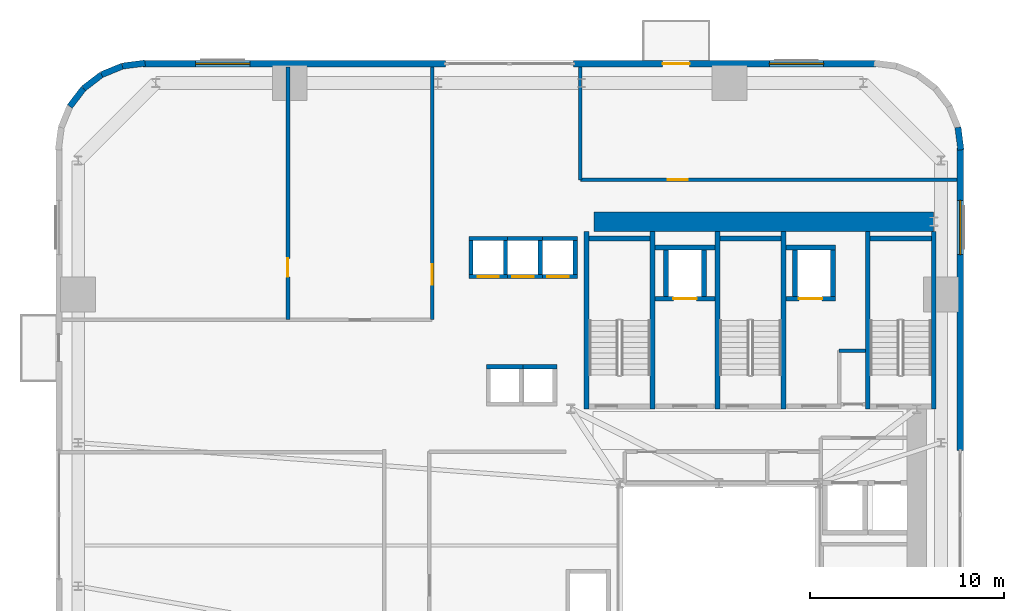
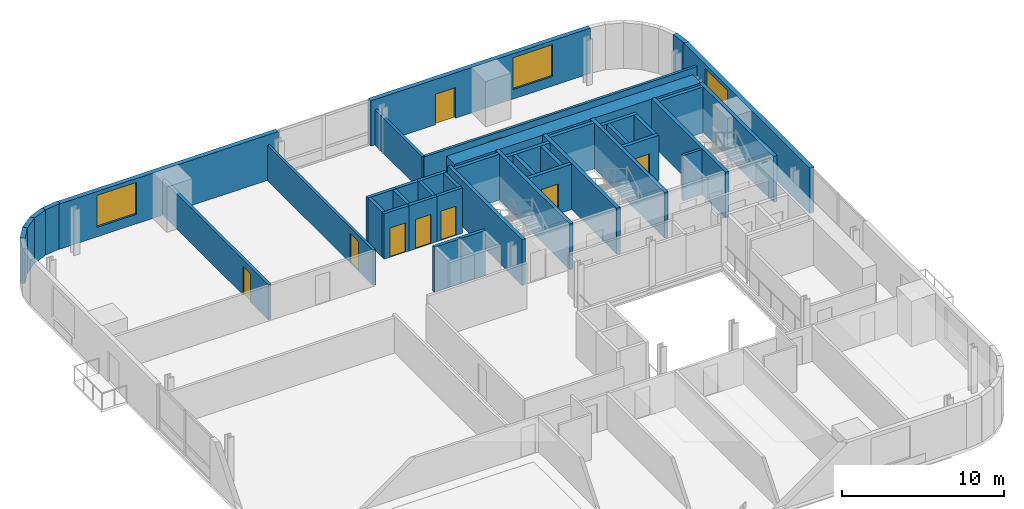
# One storey, part 8 of 13: 43 walls, 9 doors, 3 windows, 12 openings.
"""IFC4 building model written with IfcOpenShell, lengths in metres."""

import ifcopenshell
import ifcopenshell.guid

model = None  # the IFC model being written
_history = None  # IfcOwnerHistory: only IFC2X3 demands one
_inside = {}  # id of a spatial element -> (the spatial element, [elements in it])
_under = {}  # id of a project, library or spatial element -> (it, [spatial elements below it])
_declared = {}  # id of a project -> (the project, [libraries it declares])
_typed = {}  # id of a type object -> (the type object, [elements of that type])
_made_of = {}  # id of a material, layer set ... -> (it, [elements and type objects made of it])


def new_model(schema):
    """Start an empty IFC model of exactly this schema.

    Asked for "IFC4X3", IfcOpenShell would pick the latest addendum, in which some entities
    have other attributes; the version numbers below select the first issue.
    IFC2X3 requires an IfcOwnerHistory on every rooted entity: one is made here for all.
    """
    global model, _history
    if schema == "IFC4X3":
        model = ifcopenshell.file(schema_version=(4, 3, 0, 0))
    else:
        model = ifcopenshell.file(schema=schema)
    _inside.clear()
    _under.clear()
    _declared.clear()
    _typed.clear()
    _made_of.clear()
    _history = None
    if model.schema == "IFC2X3":
        org = make("IfcOrganization", Name="unknown")
        user = make(
            "IfcPersonAndOrganization",
            ThePerson=make("IfcPerson", FamilyName="unknown"),
            TheOrganization=org,
        )
        app = make(
            "IfcApplication",
            ApplicationDeveloper=org,
            Version="unknown",
            ApplicationFullName="unknown",
            ApplicationIdentifier="unknown",
        )
        _history = make(
            "IfcOwnerHistory",
            OwningUser=user,
            OwningApplication=app,
            ChangeAction="ADDED",
            CreationDate=0,
        )
    return model


def make(cls, **values):
    """One entity of the class cls with the attributes given. An attribute that is None is left unset."""
    return model.create_entity(
        cls, **{name: value for name, value in values.items() if value is not None}
    )


def rooted(cls, **values):
    """An entity with a GlobalId (a new one), such as an element, a storey or a relation."""
    return make(cls, GlobalId=ifcopenshell.guid.new(), OwnerHistory=_history, **values)


def si_unit(unit_type, name, prefix=None):
    """IfcSIUnit, for example si_unit("LENGTHUNIT", "METRE", prefix="MILLI")."""
    return make("IfcSIUnit", UnitType=unit_type, Prefix=prefix, Name=name)


def assignment(units):
    """IfcUnitAssignment: the units of a project."""
    return None if units is None else make("IfcUnitAssignment", Units=units)


def point(xyz):
    """IfcCartesianPoint."""
    return None if xyz is None else make("IfcCartesianPoint", Coordinates=xyz)


def direction(xyz):
    """IfcDirection."""
    return None if xyz is None else make("IfcDirection", DirectionRatios=xyz)


def frame(location, z_axis=None, x_axis=None):
    """IfcAxis2Placement3D, a coordinate frame: its origin and axes. An axis left out is left unset."""
    return make(
        "IfcAxis2Placement3D",
        Location=point(location),
        Axis=direction(z_axis),
        RefDirection=direction(x_axis),
    )


def frame_2d(location, x_axis=None):
    """IfcAxis2Placement2D, a coordinate frame in the plane: its origin and x axis."""
    return make(
        "IfcAxis2Placement2D", Location=point(location), RefDirection=direction(x_axis)
    )


def origin():
    """The frame at (0, 0, 0) with its axes left unset."""
    return frame((0.0, 0.0, 0.0))


def place(relative_to, where):
    """IfcLocalPlacement: puts the frame where relative to a parent placement (None: the world)."""
    return make(
        "IfcLocalPlacement", PlacementRelTo=relative_to, RelativePlacement=where
    )


def context(
    kind, dimensions, precision=None, world=None, true_north=None, identifier=None
):
    """IfcGeometricRepresentationContext, for example the 3D "Model" context."""
    return make(
        "IfcGeometricRepresentationContext",
        ContextIdentifier=identifier,
        ContextType=kind,
        CoordinateSpaceDimension=dimensions,
        Precision=precision,
        WorldCoordinateSystem=world,
        TrueNorth=true_north,
    )


def subcontext(parent, identifier, kind, view, scale=None):
    """IfcGeometricRepresentationSubContext, for example "Body" below "Model"."""
    return make(
        "IfcGeometricRepresentationSubContext",
        ContextIdentifier=identifier,
        ContextType=kind,
        ParentContext=parent,
        TargetScale=scale,
        TargetView=view,
    )


def project(units=None, contexts=None):
    """IfcProject with its units and contexts."""
    return rooted(
        "IfcProject",
        Name="project",
        RepresentationContexts=contexts,
        UnitsInContext=assignment(units),
    )


def spatial(cls, under=None, at=None, **own):
    """A site, building, storey or space (cls), placed at a placement, below another one or the project."""
    s = rooted(cls, ObjectPlacement=at, **own)
    if under is not None:
        _under.setdefault(under.id(), (under, []))[1].append(s)
    return s


def profile(cls, at=None, kind="AREA", **sizes):
    """A parametric profile (cls). Its sizes go by their IFC names, for example OverallWidth=200.0."""
    return make(cls, ProfileType=kind, Position=at, **sizes)


def rectangle(**sizes):
    """IfcRectangleProfileDef."""
    return profile("IfcRectangleProfileDef", **sizes)


def extrude(swept, where, along, depth):
    """IfcExtrudedAreaSolid: the profile swept, set in the frame where, extruded along a direction by depth."""
    return make(
        "IfcExtrudedAreaSolid",
        SweptArea=swept,
        Position=where,
        ExtrudedDirection=direction(along),
        Depth=depth,
    )


def shape(context_of_items, identifier, shape_type, items):
    """IfcShapeRepresentation: the items that make up one representation, for example the "Body"."""
    return make(
        "IfcShapeRepresentation",
        ContextOfItems=context_of_items,
        RepresentationIdentifier=identifier,
        RepresentationType=shape_type,
        Items=items,
    )


def source(mapping_origin, context_of_items, identifier, shape_type, items):
    """IfcRepresentationMap: a shape defined once, which mapped items show again and again."""
    return make(
        "IfcRepresentationMap",
        MappingOrigin=mapping_origin,
        MappedRepresentation=shape(context_of_items, identifier, shape_type, items),
    )


def transform(
    local_origin,
    x_axis=None,
    y_axis=None,
    z_axis=None,
    scale=None,
    scale2=None,
    scale3=None,
    uniform=True,
):
    """IfcCartesianTransformationOperator3D, or its non-uniform kind. x_axis, y_axis, z_axis: its Axis1, 2, 3."""
    if uniform:
        return make(
            "IfcCartesianTransformationOperator3D",
            Axis1=direction(x_axis),
            Axis2=direction(y_axis),
            LocalOrigin=point(local_origin),
            Scale=scale,
            Axis3=direction(z_axis),
        )
    return make(
        "IfcCartesianTransformationOperator3DnonUniform",
        Axis1=direction(x_axis),
        Axis2=direction(y_axis),
        LocalOrigin=point(local_origin),
        Scale=scale,
        Axis3=direction(z_axis),
        Scale2=scale2,
        Scale3=scale3,
    )


def mapped(mapping_source, mapping_target):
    """IfcMappedItem: shows the shape of a source again, moved by a transform."""
    return make(
        "IfcMappedItem", MappingSource=mapping_source, MappingTarget=mapping_target
    )


def material(Name=None, Category=None):
    """IfcMaterial."""
    return make("IfcMaterial", Name=Name, Category=Category)


def layer(
    of_material, thickness, ventilated=None, Name=None, Category=None, Priority=None
):
    """IfcMaterialLayer: one layer of a wall or slab, of a material (None: an air gap)."""
    return make(
        "IfcMaterialLayer",
        Material=of_material,
        LayerThickness=thickness,
        IsVentilated=ventilated,
        Name=Name,
        Category=Category,
        Priority=Priority,
    )


def layer_set(layers, Name=None):
    """IfcMaterialLayerSet."""
    return make("IfcMaterialLayerSet", MaterialLayers=layers, LayerSetName=Name)


def made_of(thing, what):
    """Note that an element or type object is made of a material, layer set ...; save() writes the relation."""
    if what is not None:
        _made_of.setdefault(what.id(), (what, []))[1].append(thing)
    return thing


def type_object(cls, material=None, **own):
    """A type object (cls), such as IfcWallType, which elements share."""
    return made_of(rooted(cls, **own), material)


def element(
    cls,
    number,
    at=None,
    inside=None,
    cuts=None,
    type_object=None,
    material=None,
    context=None,
    identifier="Body",
    shape_type=None,
    held_by="IfcProductDefinitionShape",
    body=None,
    shapes=None,
    **own,
):
    """One element of the class cls, such as IfcWall. Its Tag is "e" and its number.

    at: its placement. inside: the storey or other place that contains it. cuts: it is an
    opening in that element (IfcRelVoidsElement). A single representation is given by context,
    identifier, shape_type and body (its items); several are given by shapes. held_by: the class
    of the entity that holds the representations. save() writes the other relations.
    """
    e = rooted(cls, Tag="e%d" % number, ObjectPlacement=at, **own)
    if body is not None:
        shapes = [shape(context, identifier, shape_type, body)]
    if shapes is not None:
        e.Representation = make(held_by, Representations=shapes)
    if inside is not None:
        _inside.setdefault(inside.id(), (inside, []))[1].append(e)
    if cuts is not None:
        rooted(
            "IfcRelVoidsElement", RelatingBuildingElement=cuts, RelatedOpeningElement=e
        )
    if type_object is not None:
        _typed.setdefault(type_object.id(), (type_object, []))[1].append(e)
    return made_of(e, material)


def fill(opening, filler):
    """IfcRelFillsElement: the door or window that sits in an opening."""
    return rooted(
        "IfcRelFillsElement",
        RelatingOpeningElement=opening,
        RelatedBuildingElement=filler,
    )


def aggregate(whole, parts):
    """IfcRelAggregates: a whole, such as a stair, and the parts it consists of."""
    return rooted("IfcRelAggregates", RelatingObject=whole, RelatedObjects=parts)


def save(model, path):
    """Write the relations noted so far, then the file.

    IfcRelAggregates (storeys below a building ...), IfcRelContainedInSpatialStructure (elements
    in a storey), IfcRelDefinesByType, IfcRelAssociatesMaterial and IfcRelDeclares: one each for
    every whole, place, type object, material and project.
    """
    for whole, parts in _under.values():
        aggregate(whole, parts)
    for where, things in _inside.values():
        rooted(
            "IfcRelContainedInSpatialStructure",
            RelatedElements=things,
            RelatingStructure=where,
        )
    for kind, things in _typed.values():
        rooted("IfcRelDefinesByType", RelatedObjects=things, RelatingType=kind)
    for what, things in _made_of.values():
        rooted("IfcRelAssociatesMaterial", RelatedObjects=things, RelatingMaterial=what)
    for by, libraries in _declared.values():
        rooted("IfcRelDeclares", RelatingContext=by, RelatedDefinitions=libraries)
    model.write(path)


model = new_model("IFC4")

# Units and contexts
model_context = context("Model", 3, precision=1e-05, world=origin(), true_north=direction((0.0, 1.0)))
body_context = subcontext(model_context, "Body", "Model", "MODEL_VIEW")
ifc_project = project(units=[si_unit("LENGTHUNIT", "METRE"), si_unit("AREAUNIT", "SQUARE_METRE"), si_unit("VOLUMEUNIT", "CUBIC_METRE"), si_unit("PLANEANGLEUNIT", "RADIAN"), si_unit("MASSUNIT", "GRAM", prefix="KILO")], contexts=[model_context])

# Site, building, storey
site_placement = place(None, origin())
site = spatial("IfcSite", under=ifc_project, at=site_placement, CompositionType="ELEMENT")
building_placement = place(site_placement, origin())
building = spatial("IfcBuilding", under=site, at=building_placement, Name="Vardaveli Station Tower", CompositionType="ELEMENT")
storey_placement = place(building_placement, frame((0.0, 0.0, 49.5)))
storey = spatial("IfcBuildingStorey", under=building, at=storey_placement, Name="L12", CompositionType="ELEMENT", Elevation=49.5)

# Wall
ifc_material_1 = material(Name="Concrete C60/75", Category="concrete")
ifc_layer_1 = layer(ifc_material_1, 1.0, Name="Concrete C60/75")
ifc_layer_set_1 = layer_set([ifc_layer_1], Name="Concrete C60/75")
wall_type_1 = type_object("IfcWallType", Name="WAL-CORE-1000", PredefinedType="SHEAR", material=ifc_layer_set_1)
shared_shape_1 = source(origin(), body_context, "Body", "SweptSolid", [
    extrude(rectangle(XDim=17.52001953125, YDim=1.0, at=frame_2d((8.760009765625, 0.0))), origin(), (0.0, 0.0, 1.0), 3.409912109375),
])
wall_1_placement = place(storey_placement, frame((29.85009765625, 40.300048828125, 0.0), z_axis=(0.0, 0.0, 1.0), x_axis=(1.0, 0.0, 0.0)))
element("IfcWall", 1, at=wall_1_placement, inside=storey, type_object=wall_type_1, Name="SW-L12-NORTH", PredefinedType="SHEAR", context=body_context, shape_type="MappedRepresentation", body=[
    mapped(shared_shape_1, transform((0.0, 0.0, 0.0), scale=1.0)),
])

# Wall, openings, door, window
ifc_material_2 = material(Name="Precast concrete C45/55", Category="concrete")
ifc_layer_2 = layer(ifc_material_2, 0.320068359375, Name="Precast concrete C45/55")
ifc_layer_set_2 = layer_set([ifc_layer_2], Name="Precast concrete C45/55")
wall_type_2 = type_object("IfcWallType", Name="WAL-EXT-STONE-320", PredefinedType="SOLIDWALL", material=ifc_layer_set_2)
shared_shape_2 = source(origin(), body_context, "Body", "SweptSolid", [
    extrude(rectangle(XDim=15.599853515625, YDim=0.320068359375, at=frame_2d((7.7998046875, 0.0))), origin(), (0.0, 0.0, 1.0), 3.409912109375),
])
wall_2_placement = place(storey_placement, frame((44.39990234375, 48.43994140625, 0.0), z_axis=(0.0, 0.0, 1.0), x_axis=(-1.0, 0.0, 0.0)))
wall_2 = element("IfcWall", 2, at=wall_2_placement, inside=storey, type_object=wall_type_2, Name="EW-L12-N1", PredefinedType="SOLIDWALL", context=body_context, shape_type="MappedRepresentation", body=[
    mapped(shared_shape_2, transform((0.0, 0.0, 0.0), scale=1.0)),
])
shared_shape_3 = source(origin(), body_context, "Body", "SweptSolid", [
    extrude(rectangle(XDim=1.39990234375, YDim=2.300048828125, at=frame_2d((0.699951171875, 1.14990234375))), frame((0.0, 0.169921875, 0.0), z_axis=(0.0, -1.0, 0.0), x_axis=(1.0, 0.0, 0.0)), (0.0, 0.0, 1.0), 0.340087890625),
])
opening_1_placement = place(wall_2_placement, frame((9.6103515625, 0.0, 0.0)))
opening_1 = element("IfcOpeningElement", 3, at=opening_1_placement, cuts=wall_2, Name="Opening D-09", PredefinedType="OPENING", context=body_context, shape_type="MappedRepresentation", body=[
    mapped(shared_shape_3, transform((0.0, 0.0, 0.0), scale=1.0)),
])
shared_shape_4 = source(origin(), body_context, "Body", "SweptSolid", [
    extrude(rectangle(XDim=2.800048828125, YDim=2.39990234375, at=frame_2d((1.39990234375, 1.199951171875))), frame((0.0, 0.169921875, 0.0), z_axis=(0.0, -1.0, 0.0), x_axis=(1.0, 0.0, 0.0)), (0.0, 0.0, 1.0), 0.340087890625),
])
opening_2_placement = place(wall_2_placement, frame((2.705078125, 0.0, 0.719970703125)))
opening_2 = element("IfcOpeningElement", 4, at=opening_2_placement, cuts=wall_2, Name="Opening W-04", PredefinedType="OPENING", context=body_context, shape_type="MappedRepresentation", body=[
    mapped(shared_shape_4, transform((0.0, 0.0, 0.0), scale=1.0)),
])
ifc_material_3 = material(Name="Thermally broken aluminium glass", Category="aluminium")
door_type_1 = type_object("IfcDoorType", Name="DR-LOG-1400x2300", OperationType="DOUBLE_DOOR_SLIDING", PredefinedType="DOOR", material=ifc_material_3)
shared_shape_5 = source(origin(), body_context, "Body", "SweptSolid", [
    extrude(rectangle(XDim=1.39990234375, YDim=2.300048828125, at=frame_2d((0.699951171875, 1.14990234375))), frame((0.0, 0.02490234375, 0.0), z_axis=(0.0, -1.0, 0.0), x_axis=(1.0, 0.0, 0.0)), (0.0, 0.0, 1.0), 0.050048828125),
])
door_1_placement = place(opening_1_placement, frame((1.39990234375, 0.0, 0.0), z_axis=(0.0, 0.0, 1.0), x_axis=(-1.0, 0.0, 0.0)))
door_1 = element("IfcDoor", 5, at=door_1_placement, inside=storey, type_object=door_type_1, Name="DLG-L12-N", OperationType="DOUBLE_DOOR_SLIDING", OverallHeight=2.300048828125, OverallWidth=1.39990234375, PredefinedType="DOOR", context=body_context, shape_type="MappedRepresentation", body=[
    mapped(shared_shape_5, transform((0.0, 0.0, 0.0), scale=1.0)),
])
fill(opening_1, door_1)
ifc_material_4 = material(Name="Low-E solar-control glass", Category="glass")
window_type = type_object("IfcWindowType", Name="WIN-SUITE-2800x2400", PartitioningType="SINGLE_PANEL", PredefinedType="WINDOW", material=ifc_material_4)
shared_shape_6 = source(origin(), body_context, "Body", "SweptSolid", [
    extrude(rectangle(XDim=2.800048828125, YDim=2.39990234375, at=frame_2d((1.39990234375, 1.199951171875))), frame((0.0, 0.030029296875, 0.0), z_axis=(0.0, -1.0, 0.0), x_axis=(1.0, 0.0, 0.0)), (0.0, 0.0, 1.0), 0.06005859375),
])
window_1_placement = place(opening_2_placement, origin())
window_1 = element("IfcWindow", 6, at=window_1_placement, inside=storey, type_object=window_type, Name="WN-L12-N1", OverallHeight=2.39990234375, OverallWidth=2.800048828125, PartitioningType="SINGLE_PANEL", PredefinedType="WINDOW", context=body_context, shape_type="MappedRepresentation", body=[
    mapped(shared_shape_6, transform((0.0, 0.0, 0.0), scale=1.0)),
])
fill(opening_2, window_1)

# Wall, opening, window
wall_3_placement = place(storey_placement, frame((22.199951171875, 48.43994140625, 0.0), z_axis=(0.0, 0.0, 1.0), x_axis=(-1.0, 0.0, 0.0)))
wall_3 = element("IfcWall", 7, at=wall_3_placement, inside=storey, type_object=wall_type_2, Name="EW-L12-N2", PredefinedType="SOLIDWALL", context=body_context, shape_type="MappedRepresentation", body=[
    mapped(shared_shape_2, transform((0.0, 0.0, 0.0), scale=1.0)),
])
opening_3_placement = place(wall_3_placement, frame((10.094970703125, 0.0, 0.719970703125)))
opening_3 = element("IfcOpeningElement", 8, at=opening_3_placement, cuts=wall_3, Name="Opening W-04", PredefinedType="OPENING", context=body_context, shape_type="MappedRepresentation", body=[
    mapped(shared_shape_4, transform((0.0, 0.0, 0.0), scale=1.0)),
])
window_2_placement = place(opening_3_placement, origin())
window_2 = element("IfcWindow", 9, at=window_2_placement, inside=storey, type_object=window_type, Name="WN-L12-N2", OverallHeight=2.39990234375, OverallWidth=2.800048828125, PartitioningType="SINGLE_PANEL", PredefinedType="WINDOW", context=body_context, shape_type="MappedRepresentation", body=[
    mapped(shared_shape_6, transform((0.0, 0.0, 0.0), scale=1.0)),
])
fill(opening_3, window_2)

shared_shape_7 = source(origin(), body_context, "Body", "SweptSolid", [
    extrude(rectangle(XDim=15.60009765625, YDim=0.320068359375, at=frame_2d((7.800048828125, 0.0))), origin(), (0.0, 0.0, 1.0), 3.409912109375),
])
wall_4_placement = place(storey_placement, frame((48.739990234375, 28.5, 0.0), z_axis=(0.0, 0.0, 1.0), x_axis=(0.0, 1.0, 0.0)))
wall_4 = element("IfcWall", 10, at=wall_4_placement, inside=storey, type_object=wall_type_2, Name="EW-L12-E2", PredefinedType="SOLIDWALL", context=body_context, shape_type="MappedRepresentation", body=[
    mapped(shared_shape_7, transform((0.0, 0.0, 0.0), scale=1.0)),
])
opening_4_placement = place(wall_4_placement, frame((10.094970703125, 0.0, 0.719970703125)))
opening_4 = element("IfcOpeningElement", 11, at=opening_4_placement, cuts=wall_4, Name="Opening W-04", PredefinedType="OPENING", context=body_context, shape_type="MappedRepresentation", body=[
    mapped(shared_shape_4, transform((0.0, 0.0, 0.0), scale=1.0)),
])
window_3_placement = place(opening_4_placement, origin())
window_3 = element("IfcWindow", 12, at=window_3_placement, inside=storey, type_object=window_type, Name="WN-L12-E2", OverallHeight=2.39990234375, OverallWidth=2.800048828125, PartitioningType="SINGLE_PANEL", PredefinedType="WINDOW", context=body_context, shape_type="MappedRepresentation", body=[
    mapped(shared_shape_6, transform((0.0, 0.0, 0.0), scale=1.0)),
])
fill(opening_4, window_3)

# Walls
shared_shape_8 = source(origin(), body_context, "Body", "SweptSolid", [
    extrude(rectangle(XDim=1.1689453125, YDim=0.320068359375, at=frame_2d((0.58447265625, 0.0))), origin(), (0.0, 0.0, 1.0), 3.409912109375),
])
wall_5_placement = place(storey_placement, frame((3.53125, 47.1689453125, 0.0), z_axis=(0.0, 0.0, 1.0), x_axis=(-0.608387696831, -0.793639975269, 0.0)))
element("IfcWall", 13, at=wall_5_placement, inside=storey, type_object=wall_type_2, Name="EW-L12-CR4-4", PredefinedType="SOLIDWALL", context=body_context, shape_type="MappedRepresentation", body=[
    mapped(shared_shape_8, transform((0.0, 0.0, 0.0), scale=1.0)),
])
shared_shape_9 = source(origin(), body_context, "Body", "SweptSolid", [
    extrude(rectangle(XDim=1.168701171875, YDim=0.320068359375, at=frame_2d((0.58447265625, 0.0))), origin(), (0.0, 0.0, 1.0), 3.409912109375),
])
wall_6_placement = place(storey_placement, frame((4.458740234375, 47.8798828125, 0.0), z_axis=(0.0, 0.0, 1.0), x_axis=(-0.793663520347, -0.608356981114, 0.0)))
element("IfcWall", 14, at=wall_6_placement, inside=storey, type_object=wall_type_2, Name="EW-L12-CR4-3", PredefinedType="SOLIDWALL", context=body_context, shape_type="MappedRepresentation", body=[
    mapped(shared_shape_9, transform((0.0, 0.0, 0.0), scale=1.0)),
])
shared_shape_10 = source(origin(), body_context, "Body", "SweptSolid", [
    extrude(rectangle(XDim=1.17041015625, YDim=0.320068359375, at=frame_2d((0.585205078125, 0.0))), origin(), (0.0, 0.0, 1.0), 3.409912109375),
])
for number, where, z_axis, x_axis, name in (
    (15, (48.775634765625, 43.99951171875, 0.0), (0.0, 0.0, 1.0), (-0.128295670475, 0.991735963317, 0.0), "EW-L12-CR3-1"),
    (16, (6.700439453125, 48.4755859375, 0.0), (0.0, 0.0, 1.0), (-0.991735963317, -0.128295670475, 0.0), "EW-L12-CR4-1"),
):
    element("IfcWall", number, at=place(storey_placement, frame(where, z_axis=z_axis, x_axis=x_axis)), inside=storey, type_object=wall_type_2, Name=name, PredefinedType="SOLIDWALL", context=body_context, shape_type="MappedRepresentation", body=[
        mapped(shared_shape_10, transform((0.0, 0.0, 0.0), scale=1.0)),
    ])
shared_shape_11 = source(origin(), body_context, "Body", "SweptSolid", [
    extrude(rectangle(XDim=1.169189453125, YDim=0.320068359375, at=frame_2d((0.58447265625, 0.0))), origin(), (0.0, 0.0, 1.0), 3.409912109375),
])
wall_7_placement = place(storey_placement, frame((5.539794921875, 48.325439453125, 0.0), z_axis=(0.0, 0.0, 1.0), x_axis=(-0.924552646638, -0.381054331552, 0.0)))
element("IfcWall", 17, at=wall_7_placement, inside=storey, type_object=wall_type_2, Name="EW-L12-CR4-2", PredefinedType="SOLIDWALL", context=body_context, shape_type="MappedRepresentation", body=[
    mapped(shared_shape_11, transform((0.0, 0.0, 0.0), scale=1.0)),
])
ifc_material_5 = material(Name="Concrete C40/50", Category="concrete")
ifc_layer_3 = layer(ifc_material_5, 0.25, Name="Concrete C40/50")
ifc_layer_set_3 = layer_set([ifc_layer_3], Name="Concrete C40/50")
wall_type_3 = type_object("IfcWallType", Name="WAL-SHAFT-250", PredefinedType="SOLIDWALL", material=ifc_layer_set_3)
shared_shape_12 = source(origin(), body_context, "Body", "SweptSolid", [
    extrude(rectangle(XDim=9.150146484375, YDim=0.25, at=frame_2d((4.5751953125, 0.0))), origin(), (0.0, 0.0, 1.0), 3.449951171875),
])
for number, where, z_axis, x_axis, name in (
    (18, (29.47509765625, 30.64990234375, 0.0), (0.0, 0.0, 1.0), (0.0, 1.0, 0.0), "W-L12-ST-1W"),
    (19, (32.875, 30.64990234375, 0.0), (0.0, 0.0, 1.0), (0.0, 1.0, 0.0), "W-L12-ST-1E"),
    (20, (36.22509765625, 30.64990234375, 0.0), (0.0, 0.0, 1.0), (0.0, 1.0, 0.0), "W-L12-ST-2W"),
    (21, (39.625, 30.64990234375, 0.0), (0.0, 0.0, 1.0), (0.0, 1.0, 0.0), "W-L12-ST-2E"),
    (22, (43.97509765625, 30.64990234375, 0.0), (0.0, 0.0, 1.0), (0.0, 1.0, 0.0), "W-L12-ST-3W"),
    (23, (47.375, 30.64990234375, 0.0), (0.0, 0.0, 1.0), (0.0, 1.0, 0.0), "W-L12-ST-3E"),
):
    element("IfcWall", number, at=place(storey_placement, frame(where, z_axis=z_axis, x_axis=x_axis)), inside=storey, type_object=wall_type_3, Name=name, PredefinedType="SOLIDWALL", context=body_context, shape_type="MappedRepresentation", body=[
        mapped(shared_shape_12, transform((0.0, 0.0, 0.0), scale=1.0)),
    ])
shared_shape_13 = source(origin(), body_context, "Body", "SweptSolid", [
    extrude(rectangle(XDim=3.14990234375, YDim=0.25, at=frame_2d((1.574951171875, 0.0))), origin(), (0.0, 0.0, 1.0), 3.449951171875),
])
for number, where, z_axis, x_axis, name in (
    (24, (29.60009765625, 39.425048828125, 0.0), (0.0, 0.0, 1.0), (1.0, 0.0, 0.0), "W-L12-ST-1N"),
    (25, (36.35009765625, 39.425048828125, 0.0), (0.0, 0.0, 1.0), (1.0, 0.0, 0.0), "W-L12-ST-2N"),
    (26, (44.10009765625, 39.425048828125, 0.0), (0.0, 0.0, 1.0), (1.0, 0.0, 0.0), "W-L12-ST-3N"),
):
    element("IfcWall", number, at=place(storey_placement, frame(where, z_axis=z_axis, x_axis=x_axis)), inside=storey, type_object=wall_type_3, Name=name, PredefinedType="SOLIDWALL", context=body_context, shape_type="MappedRepresentation", body=[
        mapped(shared_shape_13, transform((0.0, 0.0, 0.0), scale=1.0)),
    ])
ifc_layer_4 = layer(ifc_material_5, 0.219970703125, Name="Concrete C40/50")
ifc_layer_set_4 = layer_set([ifc_layer_4], Name="Concrete C40/50")
wall_type_4 = type_object("IfcWallType", Name="WAL-FFLOBBY-220", PredefinedType="SOLIDWALL", material=ifc_layer_set_4)
shared_shape_14 = source(origin(), body_context, "Body", "SweptSolid", [
    extrude(rectangle(XDim=1.75, YDim=0.219970703125, at=frame_2d((0.875, 0.0))), origin(), (0.0, 0.0, 1.0), 3.409912109375),
])
for number, where, z_axis, x_axis, name in (
    (27, (23.514892578125, 37.574951171875, 0.0), (0.0, 0.0, 1.0), (0.0, 1.0, 0.0), "SHW-HL1-01-L12-W"),
    (28, (25.284912109375, 37.574951171875, 0.0), (0.0, 0.0, 1.0), (0.0, 1.0, 0.0), "SHW-HL1-01-L12-E"),
    (29, (27.0849609375, 37.574951171875, 0.0), (0.0, 0.0, 1.0), (0.0, 1.0, 0.0), "SHW-HL1-02-L12-E"),
    (30, (28.885009765625, 37.574951171875, 0.0), (0.0, 0.0, 1.0), (0.0, 1.0, 0.0), "SHW-HL1-03-L12-E"),
):
    element("IfcWall", number, at=place(storey_placement, frame(where, z_axis=z_axis, x_axis=x_axis)), inside=storey, type_object=wall_type_4, Name=name, PredefinedType="SOLIDWALL", context=body_context, shape_type="MappedRepresentation", body=[
        mapped(shared_shape_14, transform((0.0, 0.0, 0.0), scale=1.0)),
    ])

# Wall, opening, door
shared_shape_15 = source(origin(), body_context, "Body", "SweptSolid", [
    extrude(rectangle(XDim=1.989990234375, YDim=0.219970703125, at=frame_2d((0.9951171875, 0.0))), origin(), (0.0, 0.0, 1.0), 3.409912109375),
])
wall_8_placement = place(storey_placement, frame((23.405029296875, 37.465087890625, 0.0), z_axis=(0.0, 0.0, 1.0), x_axis=(1.0, 0.0, 0.0)))
wall_8 = element("IfcWall", 31, at=wall_8_placement, inside=storey, type_object=wall_type_4, Name="SHW-HL1-01-L12-S", PredefinedType="SOLIDWALL", context=body_context, shape_type="MappedRepresentation", body=[
    mapped(shared_shape_15, transform((0.0, 0.0, 0.0), scale=1.0)),
])
shared_shape_16 = source(origin(), body_context, "Body", "SweptSolid", [
    extrude(rectangle(XDim=1.10009765625, YDim=2.199951171875, at=frame_2d((0.550048828125, 1.10009765625))), frame((0.0, 0.1201171875, 0.0), z_axis=(0.0, -1.0, 0.0), x_axis=(1.0, 0.0, 0.0)), (0.0, 0.0, 1.0), 0.239990234375),
])
opening_5_placement = place(wall_8_placement, frame((0.445068359375, 0.0, 0.0)))
opening_5 = element("IfcOpeningElement", 32, at=opening_5_placement, cuts=wall_8, Name="Opening LD-01", PredefinedType="OPENING", context=body_context, shape_type="MappedRepresentation", body=[
    mapped(shared_shape_16, transform((0.0, 0.0, 0.0), scale=1.0)),
])
ifc_material_6 = material(Name="Brushed stainless steel", Category="steel")
door_type_2 = type_object("IfcDoorType", Name="DR-LD-1100x2200", OperationType="DOUBLE_DOOR_SLIDING", PredefinedType="DOOR", material=ifc_material_6)
shared_shape_17 = source(origin(), body_context, "Body", "SweptSolid", [
    extrude(rectangle(XDim=1.10009765625, YDim=2.199951171875, at=frame_2d((0.550048828125, 1.10009765625))), frame((0.0, 0.02490234375, 0.0), z_axis=(0.0, -1.0, 0.0), x_axis=(1.0, 0.0, 0.0)), (0.0, 0.0, 1.0), 0.050048828125),
])
door_2_placement = place(opening_5_placement, origin())
door_2 = element("IfcDoor", 33, at=door_2_placement, inside=storey, type_object=door_type_2, Name="LD-HL1-01-L12", OperationType="DOUBLE_DOOR_SLIDING", OverallHeight=2.199951171875, OverallWidth=1.10009765625, PredefinedType="DOOR", context=body_context, shape_type="MappedRepresentation", body=[
    mapped(shared_shape_17, transform((0.0, 0.0, 0.0), scale=1.0)),
])
fill(opening_5, door_2)

# Wall
wall_9_placement = place(storey_placement, frame((23.405029296875, 39.43505859375, 0.0), z_axis=(0.0, 0.0, 1.0), x_axis=(1.0, 0.0, 0.0)))
element("IfcWall", 34, at=wall_9_placement, inside=storey, type_object=wall_type_4, Name="SHW-HL1-01-L12-N", PredefinedType="SOLIDWALL", context=body_context, shape_type="MappedRepresentation", body=[
    mapped(shared_shape_15, transform((0.0, 0.0, 0.0), scale=1.0)),
])

# Wall, opening, door
wall_10_placement = place(storey_placement, frame((25.205078125, 37.465087890625, 0.0), z_axis=(0.0, 0.0, 1.0), x_axis=(1.0, 0.0, 0.0)))
wall_10 = element("IfcWall", 35, at=wall_10_placement, inside=storey, type_object=wall_type_4, Name="SHW-HL1-02-L12-S", PredefinedType="SOLIDWALL", context=body_context, shape_type="MappedRepresentation", body=[
    mapped(shared_shape_15, transform((0.0, 0.0, 0.0), scale=1.0)),
])
opening_6_placement = place(wall_10_placement, frame((0.445068359375, 0.0, 0.0)))
opening_6 = element("IfcOpeningElement", 36, at=opening_6_placement, cuts=wall_10, Name="Opening LD-01", PredefinedType="OPENING", context=body_context, shape_type="MappedRepresentation", body=[
    mapped(shared_shape_16, transform((0.0, 0.0, 0.0), scale=1.0)),
])
door_3_placement = place(opening_6_placement, origin())
door_3 = element("IfcDoor", 37, at=door_3_placement, inside=storey, type_object=door_type_2, Name="LD-HL1-02-L12", OperationType="DOUBLE_DOOR_SLIDING", OverallHeight=2.199951171875, OverallWidth=1.10009765625, PredefinedType="DOOR", context=body_context, shape_type="MappedRepresentation", body=[
    mapped(shared_shape_17, transform((0.0, 0.0, 0.0), scale=1.0)),
])
fill(opening_6, door_3)

# Wall
wall_11_placement = place(storey_placement, frame((25.205078125, 39.43505859375, 0.0), z_axis=(0.0, 0.0, 1.0), x_axis=(1.0, 0.0, 0.0)))
element("IfcWall", 38, at=wall_11_placement, inside=storey, type_object=wall_type_4, Name="SHW-HL1-02-L12-N", PredefinedType="SOLIDWALL", context=body_context, shape_type="MappedRepresentation", body=[
    mapped(shared_shape_15, transform((0.0, 0.0, 0.0), scale=1.0)),
])

# Wall, opening, door
shared_shape_18 = source(origin(), body_context, "Body", "SweptSolid", [
    extrude(rectangle(XDim=1.990234375, YDim=0.219970703125, at=frame_2d((0.9951171875, 0.0))), origin(), (0.0, 0.0, 1.0), 3.409912109375),
])
wall_12_placement = place(storey_placement, frame((27.0048828125, 37.465087890625, 0.0), z_axis=(0.0, 0.0, 1.0), x_axis=(1.0, 0.0, 0.0)))
wall_12 = element("IfcWall", 39, at=wall_12_placement, inside=storey, type_object=wall_type_4, Name="SHW-HL1-03-L12-S", PredefinedType="SOLIDWALL", context=body_context, shape_type="MappedRepresentation", body=[
    mapped(shared_shape_18, transform((0.0, 0.0, 0.0), scale=1.0)),
])
opening_7_placement = place(wall_12_placement, frame((0.445068359375, 0.0, 0.0)))
opening_7 = element("IfcOpeningElement", 40, at=opening_7_placement, cuts=wall_12, Name="Opening LD-01", PredefinedType="OPENING", context=body_context, shape_type="MappedRepresentation", body=[
    mapped(shared_shape_16, transform((0.0, 0.0, 0.0), scale=1.0)),
])
door_4_placement = place(opening_7_placement, origin())
door_4 = element("IfcDoor", 41, at=door_4_placement, inside=storey, type_object=door_type_2, Name="LD-HL1-03-L12", OperationType="DOUBLE_DOOR_SLIDING", OverallHeight=2.199951171875, OverallWidth=1.10009765625, PredefinedType="DOOR", context=body_context, shape_type="MappedRepresentation", body=[
    mapped(shared_shape_17, transform((0.0, 0.0, 0.0), scale=1.0)),
])
fill(opening_7, door_4)

# Wall
wall_13_placement = place(storey_placement, frame((27.0048828125, 39.43505859375, 0.0), z_axis=(0.0, 0.0, 1.0), x_axis=(1.0, 0.0, 0.0)))
element("IfcWall", 42, at=wall_13_placement, inside=storey, type_object=wall_type_4, Name="SHW-HL1-03-L12-N", PredefinedType="SOLIDWALL", context=body_context, shape_type="MappedRepresentation", body=[
    mapped(shared_shape_18, transform((0.0, 0.0, 0.0), scale=1.0)),
])

# Wall, opening, door
shared_shape_19 = source(origin(), body_context, "Body", "SweptSolid", [
    extrude(rectangle(XDim=3.10009765625, YDim=0.25, at=frame_2d((1.550048828125, 0.0))), origin(), (0.0, 0.0, 1.0), 3.409912109375),
])
wall_14_placement = place(storey_placement, frame((33.0, 36.324951171875, 0.0), z_axis=(0.0, 0.0, 1.0), x_axis=(1.0, 0.0, 0.0)))
wall_14 = element("IfcWall", 43, at=wall_14_placement, inside=storey, type_object=wall_type_3, Name="SHW-FFL-01-L12-S", PredefinedType="SOLIDWALL", context=body_context, shape_type="MappedRepresentation", body=[
    mapped(shared_shape_19, transform((0.0, 0.0, 0.0), scale=1.0)),
])
shared_shape_20 = source(origin(), body_context, "Body", "SweptSolid", [
    extrude(rectangle(XDim=1.199951171875, YDim=2.25, at=frame_2d((0.60009765625, 1.125))), frame((0.0, 0.135009765625, 0.0), z_axis=(0.0, -1.0, 0.0), x_axis=(1.0, 0.0, 0.0)), (0.0, 0.0, 1.0), 0.27001953125),
])
opening_8_placement = place(wall_14_placement, frame((0.949951171875, 0.0, 0.0)))
opening_8 = element("IfcOpeningElement", 44, at=opening_8_placement, cuts=wall_14, Name="Opening LD-02", PredefinedType="OPENING", context=body_context, shape_type="MappedRepresentation", body=[
    mapped(shared_shape_20, transform((0.0, 0.0, 0.0), scale=1.0)),
])
door_type_3 = type_object("IfcDoorType", Name="DR-LD-1200x2250", OperationType="DOUBLE_DOOR_SLIDING", PredefinedType="DOOR", material=ifc_material_6)
shared_shape_21 = source(origin(), body_context, "Body", "SweptSolid", [
    extrude(rectangle(XDim=1.199951171875, YDim=2.25, at=frame_2d((0.60009765625, 1.125))), frame((0.0, 0.02490234375, 0.0), z_axis=(0.0, -1.0, 0.0), x_axis=(1.0, 0.0, 0.0)), (0.0, 0.0, 1.0), 0.050048828125),
])
door_5_placement = place(opening_8_placement, origin())
door_5 = element("IfcDoor", 45, at=door_5_placement, inside=storey, type_object=door_type_3, Name="LD-FFL-01-L12", OperationType="DOUBLE_DOOR_SLIDING", OverallHeight=2.25, OverallWidth=1.199951171875, PredefinedType="DOOR", context=body_context, shape_type="MappedRepresentation", body=[
    mapped(shared_shape_21, transform((0.0, 0.0, 0.0), scale=1.0)),
])
fill(opening_8, door_5)

# Walls
wall_15_placement = place(storey_placement, frame((33.0, 38.97509765625, 0.0), z_axis=(0.0, 0.0, 1.0), x_axis=(1.0, 0.0, 0.0)))
element("IfcWall", 46, at=wall_15_placement, inside=storey, type_object=wall_type_3, Name="SHW-FFL-01-L12-N", PredefinedType="SOLIDWALL", context=body_context, shape_type="MappedRepresentation", body=[
    mapped(shared_shape_19, transform((0.0, 0.0, 0.0), scale=1.0)),
])
shared_shape_22 = source(origin(), body_context, "Body", "SweptSolid", [
    extrude(rectangle(XDim=2.400146484375, YDim=0.25, at=frame_2d((1.2001953125, 0.0))), origin(), (0.0, 0.0, 1.0), 3.409912109375),
])
for number, where, z_axis, x_axis, name in (
    (47, (33.574951171875, 36.449951171875, 0.0), (0.0, 0.0, 1.0), (0.0, 1.0, 0.0), "SHW-FFL-01-L12-W"),
    (48, (35.52490234375, 36.449951171875, 0.0), (0.0, 0.0, 1.0), (0.0, 1.0, 0.0), "SHW-FFL-01-L12-E"),
    (49, (40.22509765625, 36.449951171875, 0.0), (0.0, 0.0, 1.0), (0.0, 1.0, 0.0), "SHW-FFL-02-L12-W"),
    (50, (42.175048828125, 36.449951171875, 0.0), (0.0, 0.0, 1.0), (0.0, 1.0, 0.0), "SHW-FFL-02-L12-E"),
):
    element("IfcWall", number, at=place(storey_placement, frame(where, z_axis=z_axis, x_axis=x_axis)), inside=storey, type_object=wall_type_3, Name=name, PredefinedType="SOLIDWALL", context=body_context, shape_type="MappedRepresentation", body=[
        mapped(shared_shape_22, transform((0.0, 0.0, 0.0), scale=1.0)),
    ])

# Wall, opening, door
shared_shape_23 = source(origin(), body_context, "Body", "SweptSolid", [
    extrude(rectangle(XDim=2.550048828125, YDim=0.25, at=frame_2d((1.27490234375, 0.0))), origin(), (0.0, 0.0, 1.0), 3.409912109375),
])
wall_16_placement = place(storey_placement, frame((39.75, 36.324951171875, 0.0), z_axis=(0.0, 0.0, 1.0), x_axis=(1.0, 0.0, 0.0)))
wall_16 = element("IfcWall", 51, at=wall_16_placement, inside=storey, type_object=wall_type_3, Name="SHW-FFL-02-L12-S", PredefinedType="SOLIDWALL", context=body_context, shape_type="MappedRepresentation", body=[
    mapped(shared_shape_23, transform((0.0, 0.0, 0.0), scale=1.0)),
])
opening_9_placement = place(wall_16_placement, frame((0.675048828125, 0.0, 0.0)))
opening_9 = element("IfcOpeningElement", 52, at=opening_9_placement, cuts=wall_16, Name="Opening LD-02", PredefinedType="OPENING", context=body_context, shape_type="MappedRepresentation", body=[
    mapped(shared_shape_20, transform((0.0, 0.0, 0.0), scale=1.0)),
])
door_6_placement = place(opening_9_placement, origin())
door_6 = element("IfcDoor", 53, at=door_6_placement, inside=storey, type_object=door_type_3, Name="LD-FFL-02-L12", OperationType="DOUBLE_DOOR_SLIDING", OverallHeight=2.25, OverallWidth=1.199951171875, PredefinedType="DOOR", context=body_context, shape_type="MappedRepresentation", body=[
    mapped(shared_shape_21, transform((0.0, 0.0, 0.0), scale=1.0)),
])
fill(opening_9, door_6)

# Walls
wall_17_placement = place(storey_placement, frame((39.75, 38.97509765625, 0.0), z_axis=(0.0, 0.0, 1.0), x_axis=(1.0, 0.0, 0.0)))
element("IfcWall", 54, at=wall_17_placement, inside=storey, type_object=wall_type_3, Name="SHW-FFL-02-L12-N", PredefinedType="SOLIDWALL", context=body_context, shape_type="MappedRepresentation", body=[
    mapped(shared_shape_23, transform((0.0, 0.0, 0.0), scale=1.0)),
])
shared_shape_24 = source(origin(), body_context, "Body", "SweptSolid", [
    extrude(rectangle(XDim=1.89013671875, YDim=0.219970703125, at=frame_2d((0.945068359375, 0.0))), origin(), (0.0, 0.0, 1.0), 3.409912109375),
])
for number, where, z_axis, x_axis, name in (
    (55, (24.304931640625, 32.81005859375, 0.0), (0.0, 0.0, 1.0), (1.0, 0.0, 0.0), "SHW-SHU-01-L12-N"),
    (56, (26.054931640625, 32.81005859375, 0.0), (0.0, 0.0, 1.0), (1.0, 0.0, 0.0), "SHW-SHU-02-L12-N"),
):
    element("IfcWall", number, at=place(storey_placement, frame(where, z_axis=z_axis, x_axis=x_axis)), inside=storey, type_object=wall_type_4, Name=name, PredefinedType="SOLIDWALL", context=body_context, shape_type="MappedRepresentation", body=[
        mapped(shared_shape_24, transform((0.0, 0.0, 0.0), scale=1.0)),
    ])
ifc_material_7 = material(Name="Fire-rated gypsum stud partition")
ifc_layer_5 = layer(ifc_material_7, 0.179931640625, Name="Fire-rated gypsum stud partition")
ifc_layer_set_5 = layer_set([ifc_layer_5], Name="Fire-rated gypsum stud partition")
wall_type_5 = type_object("IfcWallType", Name="WAL-CORR-180", PredefinedType="PARTITIONING", material=ifc_layer_set_5)
shared_shape_25 = source(origin(), body_context, "Body", "SweptSolid", [
    extrude(rectangle(XDim=1.347900390625, YDim=0.179931640625, at=frame_2d((0.673828125, 0.0))), origin(), (0.0, 0.0, 1.0), 3.409912109375),
])
wall_18_placement = place(storey_placement, frame((42.5, 33.64990234375, 0.0), z_axis=(0.0, 0.0, 1.0), x_axis=(1.0, 0.0, 0.0)))
element("IfcWall", 57, at=wall_18_placement, inside=storey, type_object=wall_type_5, Name="W-L12-CBS0-N", PredefinedType="PARTITIONING", context=body_context, shape_type="MappedRepresentation", body=[
    mapped(shared_shape_25, transform((0.0, 0.0, 0.0), scale=1.0)),
])

# Wall, opening, door
shared_shape_26 = source(origin(), body_context, "Body", "SweptSolid", [
    extrude(rectangle(XDim=19.427978515625, YDim=0.179931640625, at=frame_2d((9.7138671875, 0.0))), origin(), (0.0, 0.0, 1.0), 2.652099609375),
])
wall_19_placement = place(storey_placement, frame((29.14990234375, 42.449951171875, 0.0), z_axis=(0.0, 0.0, 1.0), x_axis=(1.0, 0.0, 0.0)))
wall_19 = element("IfcWall", 58, at=wall_19_placement, inside=storey, type_object=wall_type_5, Name="W-L12-NPS", PredefinedType="PARTITIONING", context=body_context, shape_type="MappedRepresentation", body=[
    mapped(shared_shape_26, transform((0.0, 0.0, 0.0), scale=1.0)),
])
shared_shape_27 = source(origin(), body_context, "Body", "SweptSolid", [
    extrude(rectangle(XDim=1.050048828125, YDim=2.199951171875, at=frame_2d((0.52490234375, 1.10009765625))), frame((0.0, 0.10009765625, 0.0), z_axis=(0.0, -1.0, 0.0), x_axis=(1.0, 0.0, 0.0)), (0.0, 0.0, 1.0), 0.199951171875),
])
opening_10_placement = place(wall_19_placement, frame((4.5, 0.0, 0.0)))
opening_10 = element("IfcOpeningElement", 59, at=opening_10_placement, cuts=wall_19, Name="Opening D-05", PredefinedType="OPENING", context=body_context, shape_type="MappedRepresentation", body=[
    mapped(shared_shape_27, transform((0.0, 0.0, 0.0), scale=1.0)),
])
ifc_material_8 = material(Name="Walnut veneer acoustic fire door")
door_type_4 = type_object("IfcDoorType", Name="DR-SUITE-1050x2200", OperationType="NOTDEFINED", PredefinedType="DOOR", material=ifc_material_8)
shared_shape_28 = source(origin(), body_context, "Body", "SweptSolid", [
    extrude(rectangle(XDim=1.050048828125, YDim=2.199951171875, at=frame_2d((0.52490234375, 1.10009765625))), frame((0.0, 0.02490234375, 0.0), z_axis=(0.0, -1.0, 0.0), x_axis=(1.0, 0.0, 0.0)), (0.0, 0.0, 1.0), 0.050048828125),
])
door_7_placement = place(opening_10_placement, origin())
door_7 = element("IfcDoor", 60, at=door_7_placement, inside=storey, type_object=door_type_4, Name="D-L12-NP1", OperationType="SINGLE_SWING_RIGHT", OverallHeight=2.199951171875, OverallWidth=1.050048828125, PredefinedType="DOOR", context=body_context, shape_type="MappedRepresentation", body=[
    mapped(shared_shape_28, transform((0.0, 0.0, 0.0), scale=1.0)),
])
fill(opening_10, door_7)

shared_shape_29 = source(origin(), body_context, "Body", "SweptSolid", [
    extrude(rectangle(XDim=13.028076171875, YDim=0.179931640625, at=frame_2d((6.51416015625, 0.0))), origin(), (0.0, 0.0, 1.0), 2.652099609375),
])
wall_20_placement = place(storey_placement, frame((21.5, 35.25, 0.0), z_axis=(0.0, 0.0, 1.0), x_axis=(0.0, 1.0, 0.0)))
wall_20 = element("IfcWall", 61, at=wall_20_placement, inside=storey, type_object=wall_type_5, Name="W-L12-CNWE", PredefinedType="PARTITIONING", context=body_context, shape_type="MappedRepresentation", body=[
    mapped(shared_shape_29, transform((0.0, 0.0, 0.0), scale=1.0)),
])
opening_11_placement = place(wall_20_placement, frame((1.800048828125, 0.0, 0.0)))
opening_11 = element("IfcOpeningElement", 62, at=opening_11_placement, cuts=wall_20, Name="Opening D-05", PredefinedType="OPENING", context=body_context, shape_type="MappedRepresentation", body=[
    mapped(shared_shape_27, transform((0.0, 0.0, 0.0), scale=1.0)),
])
door_8_placement = place(opening_11_placement, origin())
door_8 = element("IfcDoor", 63, at=door_8_placement, inside=storey, type_object=door_type_4, Name="D-L12-GNWE", OperationType="SINGLE_SWING_LEFT", OverallHeight=2.199951171875, OverallWidth=1.050048828125, PredefinedType="DOOR", context=body_context, shape_type="MappedRepresentation", body=[
    mapped(shared_shape_28, transform((0.0, 0.0, 0.0), scale=1.0)),
])
fill(opening_11, door_8)

# Wall
shared_shape_30 = source(origin(), body_context, "Body", "SweptSolid", [
    extrude(rectangle(XDim=5.828125, YDim=0.179931640625, at=frame_2d((2.9140625, 0.0))), origin(), (0.0, 0.0, 1.0), 2.652099609375),
])
wall_21_placement = place(storey_placement, frame((29.14990234375, 42.449951171875, 0.0), z_axis=(0.0, 0.0, 1.0), x_axis=(0.0, 1.0, 0.0)))
element("IfcWall", 64, at=wall_21_placement, inside=storey, type_object=wall_type_5, Name="W-L12-NPW", PredefinedType="PARTITIONING", context=body_context, shape_type="MappedRepresentation", body=[
    mapped(shared_shape_30, transform((0.0, 0.0, 0.0), scale=1.0)),
])

# Wall, opening, door
ifc_material_9 = material(Name="Acoustic twin-stud gypsum partition")
ifc_layer_6 = layer(ifc_material_9, 0.199951171875, Name="Acoustic twin-stud gypsum partition")
ifc_layer_set_6 = layer_set([ifc_layer_6], Name="Acoustic twin-stud gypsum partition")
wall_type_6 = type_object("IfcWallType", Name="WAL-PARTY-200", PredefinedType="PARTITIONING", material=ifc_layer_set_6)
shared_shape_31 = source(origin(), body_context, "Body", "SweptSolid", [
    extrude(rectangle(XDim=13.028076171875, YDim=0.199951171875, at=frame_2d((6.51416015625, 0.0))), origin(), (0.0, 0.0, 1.0), 2.652099609375),
])
wall_22_placement = place(storey_placement, frame((14.070068359375, 35.25, 0.0), z_axis=(0.0, 0.0, 1.0), x_axis=(0.0, 1.0, 0.0)))
wall_22 = element("IfcWall", 65, at=wall_22_placement, inside=storey, type_object=wall_type_6, Name="W-L12-PNW1", PredefinedType="PARTITIONING", context=body_context, shape_type="MappedRepresentation", body=[
    mapped(shared_shape_31, transform((0.0, 0.0, 0.0), scale=1.0)),
])
shared_shape_32 = source(origin(), body_context, "Body", "SweptSolid", [
    extrude(rectangle(XDim=0.949951171875, YDim=2.14990234375, at=frame_2d((0.47509765625, 1.074951171875))), frame((0.0, 0.10986328125, 0.0), z_axis=(0.0, -1.0, 0.0), x_axis=(1.0, 0.0, 0.0)), (0.0, 0.0, 1.0), 0.219970703125),
])
opening_12_placement = place(wall_22_placement, frame((2.199951171875, 0.0, 0.0)))
opening_12 = element("IfcOpeningElement", 66, at=opening_12_placement, cuts=wall_22, Name="Opening D-11", PredefinedType="OPENING", context=body_context, shape_type="MappedRepresentation", body=[
    mapped(shared_shape_32, transform((0.0, 0.0, 0.0), scale=1.0)),
])
ifc_material_10 = material(Name="Oak veneer internal suite door")
door_type_5 = type_object("IfcDoorType", Name="DR-INT-950x2150", OperationType="NOTDEFINED", PredefinedType="DOOR", material=ifc_material_10)
shared_shape_33 = source(origin(), body_context, "Body", "SweptSolid", [
    extrude(rectangle(XDim=0.949951171875, YDim=2.14990234375, at=frame_2d((0.47509765625, 1.074951171875))), frame((0.0, 0.02490234375, 0.0), z_axis=(0.0, -1.0, 0.0), x_axis=(1.0, 0.0, 0.0)), (0.0, 0.0, 1.0), 0.050048828125),
])
door_9_placement = place(opening_12_placement, origin())
door_9 = element("IfcDoor", 67, at=door_9_placement, inside=storey, type_object=door_type_5, Name="D-L12-GNW1", OperationType="SINGLE_SWING_RIGHT", OverallHeight=2.14990234375, OverallWidth=0.949951171875, PredefinedType="DOOR", context=body_context, shape_type="MappedRepresentation", body=[
    mapped(shared_shape_33, transform((0.0, 0.0, 0.0), scale=1.0)),
])
fill(opening_12, door_9)

save(model, "model.ifc")
